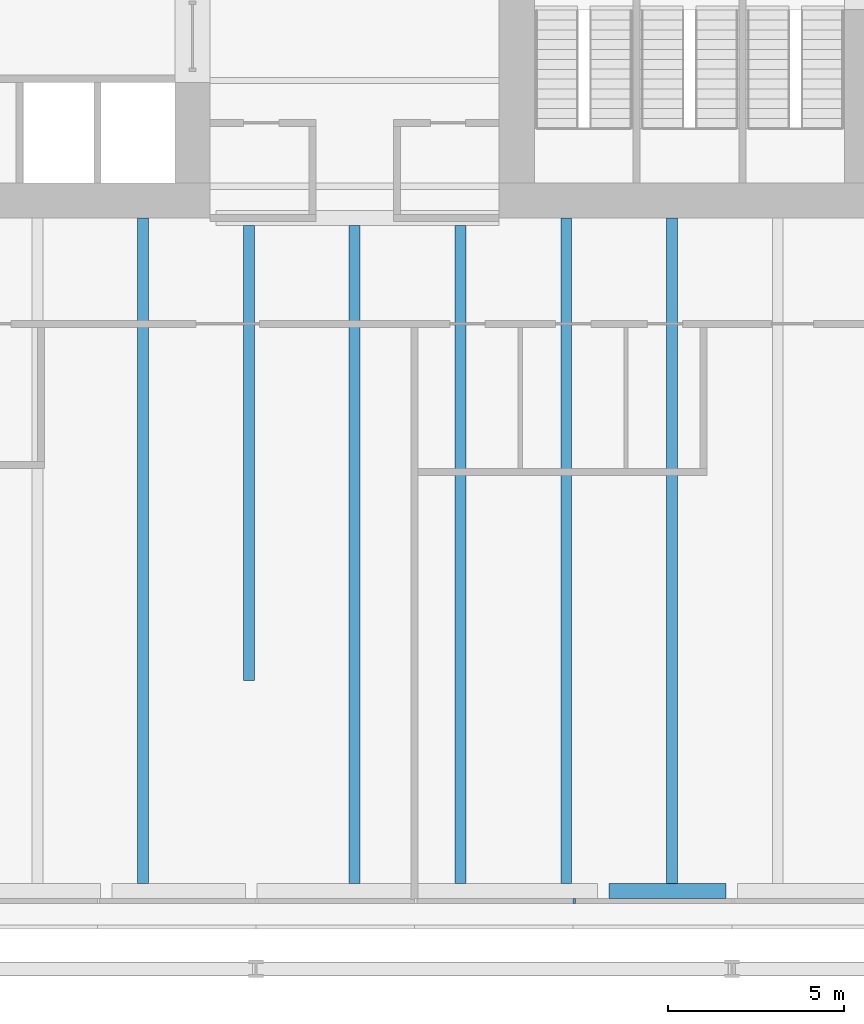
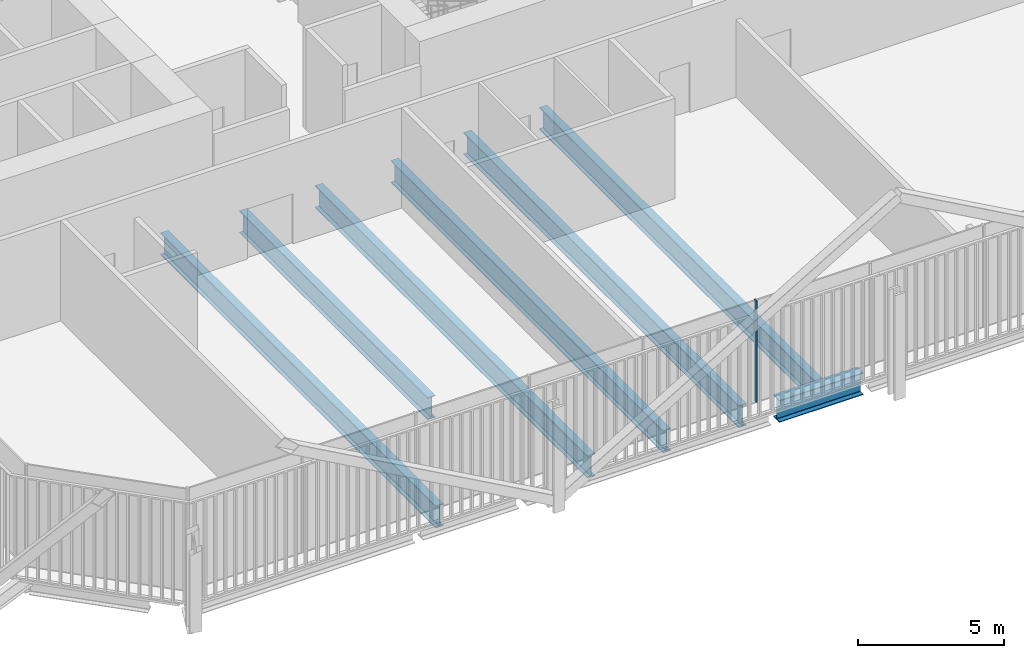
# One storey, part 4 of 21: 7 beams, 1 member, 1 element without a shape of its own.
"""IFC4 building model written with IfcOpenShell, lengths in metres."""

import ifcopenshell
import ifcopenshell.guid

model = None  # the IFC model being written
_history = None  # IfcOwnerHistory: only IFC2X3 demands one
_inside = {}  # id of a spatial element -> (the spatial element, [elements in it])
_under = {}  # id of a project, library or spatial element -> (it, [spatial elements below it])
_declared = {}  # id of a project -> (the project, [libraries it declares])
_typed = {}  # id of a type object -> (the type object, [elements of that type])
_made_of = {}  # id of a material, layer set ... -> (it, [elements and type objects made of it])


def new_model(schema):
    """Start an empty IFC model of exactly this schema.

    Asked for "IFC4X3", IfcOpenShell would pick the latest addendum, in which some entities
    have other attributes; the version numbers below select the first issue.
    IFC2X3 requires an IfcOwnerHistory on every rooted entity: one is made here for all.
    """
    global model, _history
    if schema == "IFC4X3":
        model = ifcopenshell.file(schema_version=(4, 3, 0, 0))
    else:
        model = ifcopenshell.file(schema=schema)
    _inside.clear()
    _under.clear()
    _declared.clear()
    _typed.clear()
    _made_of.clear()
    _history = None
    if model.schema == "IFC2X3":
        org = make("IfcOrganization", Name="unknown")
        user = make(
            "IfcPersonAndOrganization",
            ThePerson=make("IfcPerson", FamilyName="unknown"),
            TheOrganization=org,
        )
        app = make(
            "IfcApplication",
            ApplicationDeveloper=org,
            Version="unknown",
            ApplicationFullName="unknown",
            ApplicationIdentifier="unknown",
        )
        _history = make(
            "IfcOwnerHistory",
            OwningUser=user,
            OwningApplication=app,
            ChangeAction="ADDED",
            CreationDate=0,
        )
    return model


def make(cls, **values):
    """One entity of the class cls with the attributes given. An attribute that is None is left unset."""
    return model.create_entity(
        cls, **{name: value for name, value in values.items() if value is not None}
    )


def rooted(cls, **values):
    """An entity with a GlobalId (a new one), such as an element, a storey or a relation."""
    return make(cls, GlobalId=ifcopenshell.guid.new(), OwnerHistory=_history, **values)


def si_unit(unit_type, name, prefix=None):
    """IfcSIUnit, for example si_unit("LENGTHUNIT", "METRE", prefix="MILLI")."""
    return make("IfcSIUnit", UnitType=unit_type, Prefix=prefix, Name=name)


def assignment(units):
    """IfcUnitAssignment: the units of a project."""
    return None if units is None else make("IfcUnitAssignment", Units=units)


def point(xyz):
    """IfcCartesianPoint."""
    return None if xyz is None else make("IfcCartesianPoint", Coordinates=xyz)


def direction(xyz):
    """IfcDirection."""
    return None if xyz is None else make("IfcDirection", DirectionRatios=xyz)


def frame(location, z_axis=None, x_axis=None):
    """IfcAxis2Placement3D, a coordinate frame: its origin and axes. An axis left out is left unset."""
    return make(
        "IfcAxis2Placement3D",
        Location=point(location),
        Axis=direction(z_axis),
        RefDirection=direction(x_axis),
    )


def frame_2d(location, x_axis=None):
    """IfcAxis2Placement2D, a coordinate frame in the plane: its origin and x axis."""
    return make(
        "IfcAxis2Placement2D", Location=point(location), RefDirection=direction(x_axis)
    )


def origin():
    """The frame at (0, 0, 0) with its axes left unset."""
    return frame((0.0, 0.0, 0.0))


def origin_2d():
    """The frame at (0, 0) in the plane with its x axis left unset."""
    return frame_2d((0.0, 0.0))


def place(relative_to, where):
    """IfcLocalPlacement: puts the frame where relative to a parent placement (None: the world)."""
    return make(
        "IfcLocalPlacement", PlacementRelTo=relative_to, RelativePlacement=where
    )


def context(
    kind, dimensions, precision=None, world=None, true_north=None, identifier=None
):
    """IfcGeometricRepresentationContext, for example the 3D "Model" context."""
    return make(
        "IfcGeometricRepresentationContext",
        ContextIdentifier=identifier,
        ContextType=kind,
        CoordinateSpaceDimension=dimensions,
        Precision=precision,
        WorldCoordinateSystem=world,
        TrueNorth=true_north,
    )


def subcontext(parent, identifier, kind, view, scale=None):
    """IfcGeometricRepresentationSubContext, for example "Body" below "Model"."""
    return make(
        "IfcGeometricRepresentationSubContext",
        ContextIdentifier=identifier,
        ContextType=kind,
        ParentContext=parent,
        TargetScale=scale,
        TargetView=view,
    )


def project(units=None, contexts=None):
    """IfcProject with its units and contexts."""
    return rooted(
        "IfcProject",
        Name="project",
        RepresentationContexts=contexts,
        UnitsInContext=assignment(units),
    )


def spatial(cls, under=None, at=None, **own):
    """A site, building, storey or space (cls), placed at a placement, below another one or the project."""
    s = rooted(cls, ObjectPlacement=at, **own)
    if under is not None:
        _under.setdefault(under.id(), (under, []))[1].append(s)
    return s


def profile(cls, at=None, kind="AREA", **sizes):
    """A parametric profile (cls). Its sizes go by their IFC names, for example OverallWidth=200.0."""
    return make(cls, ProfileType=kind, Position=at, **sizes)


def rectangle(**sizes):
    """IfcRectangleProfileDef."""
    return profile("IfcRectangleProfileDef", **sizes)


def i_section(**sizes):
    """IfcIShapeProfileDef."""
    return profile("IfcIShapeProfileDef", **sizes)


def extrude(swept, where, along, depth):
    """IfcExtrudedAreaSolid: the profile swept, set in the frame where, extruded along a direction by depth."""
    return make(
        "IfcExtrudedAreaSolid",
        SweptArea=swept,
        Position=where,
        ExtrudedDirection=direction(along),
        Depth=depth,
    )


def shape(context_of_items, identifier, shape_type, items):
    """IfcShapeRepresentation: the items that make up one representation, for example the "Body"."""
    return make(
        "IfcShapeRepresentation",
        ContextOfItems=context_of_items,
        RepresentationIdentifier=identifier,
        RepresentationType=shape_type,
        Items=items,
    )


def material(Name=None, Category=None):
    """IfcMaterial."""
    return make("IfcMaterial", Name=Name, Category=Category)


def layer(
    of_material, thickness, ventilated=None, Name=None, Category=None, Priority=None
):
    """IfcMaterialLayer: one layer of a wall or slab, of a material (None: an air gap)."""
    return make(
        "IfcMaterialLayer",
        Material=of_material,
        LayerThickness=thickness,
        IsVentilated=ventilated,
        Name=Name,
        Category=Category,
        Priority=Priority,
    )


def layer_set(layers, Name=None):
    """IfcMaterialLayerSet."""
    return make("IfcMaterialLayerSet", MaterialLayers=layers, LayerSetName=Name)


def material_profile(
    of_material, cross_section, Name=None, Category=None, Priority=None
):
    """IfcMaterialProfile: a cross section and its material."""
    return make(
        "IfcMaterialProfile",
        Name=Name,
        Material=of_material,
        Profile=cross_section,
        Priority=Priority,
        Category=Category,
    )


def profile_set(profiles, Name=None, composite=None):
    """IfcMaterialProfileSet."""
    return make(
        "IfcMaterialProfileSet",
        Name=Name,
        MaterialProfiles=profiles,
        CompositeProfile=composite,
    )


def made_of(thing, what):
    """Note that an element or type object is made of a material, layer set ...; save() writes the relation."""
    if what is not None:
        _made_of.setdefault(what.id(), (what, []))[1].append(thing)
    return thing


def type_object(cls, material=None, **own):
    """A type object (cls), such as IfcWallType, which elements share."""
    return made_of(rooted(cls, **own), material)


def element(
    cls,
    number,
    at=None,
    inside=None,
    cuts=None,
    type_object=None,
    material=None,
    context=None,
    identifier="Body",
    shape_type=None,
    held_by="IfcProductDefinitionShape",
    body=None,
    shapes=None,
    **own,
):
    """One element of the class cls, such as IfcWall. Its Tag is "e" and its number.

    at: its placement. inside: the storey or other place that contains it. cuts: it is an
    opening in that element (IfcRelVoidsElement). A single representation is given by context,
    identifier, shape_type and body (its items); several are given by shapes. held_by: the class
    of the entity that holds the representations. save() writes the other relations.
    """
    e = rooted(cls, Tag="e%d" % number, ObjectPlacement=at, **own)
    if body is not None:
        shapes = [shape(context, identifier, shape_type, body)]
    if shapes is not None:
        e.Representation = make(held_by, Representations=shapes)
    if inside is not None:
        _inside.setdefault(inside.id(), (inside, []))[1].append(e)
    if cuts is not None:
        rooted(
            "IfcRelVoidsElement", RelatingBuildingElement=cuts, RelatedOpeningElement=e
        )
    if type_object is not None:
        _typed.setdefault(type_object.id(), (type_object, []))[1].append(e)
    return made_of(e, material)


def aggregate(whole, parts):
    """IfcRelAggregates: a whole, such as a stair, and the parts it consists of."""
    return rooted("IfcRelAggregates", RelatingObject=whole, RelatedObjects=parts)


def save(model, path):
    """Write the relations noted so far, then the file.

    IfcRelAggregates (storeys below a building ...), IfcRelContainedInSpatialStructure (elements
    in a storey), IfcRelDefinesByType, IfcRelAssociatesMaterial and IfcRelDeclares: one each for
    every whole, place, type object, material and project.
    """
    for whole, parts in _under.values():
        aggregate(whole, parts)
    for where, things in _inside.values():
        rooted(
            "IfcRelContainedInSpatialStructure",
            RelatedElements=things,
            RelatingStructure=where,
        )
    for kind, things in _typed.values():
        rooted("IfcRelDefinesByType", RelatedObjects=things, RelatingType=kind)
    for what, things in _made_of.values():
        rooted("IfcRelAssociatesMaterial", RelatedObjects=things, RelatingMaterial=what)
    for by, libraries in _declared.values():
        rooted("IfcRelDeclares", RelatingContext=by, RelatedDefinitions=libraries)
    model.write(path)


model = new_model("IFC4")

# Units and contexts
model_context = context("Model", 3, precision=1e-05, world=origin(), true_north=direction((0.0, 1.0)))
body_context = subcontext(model_context, "Body", "Model", "MODEL_VIEW")
ifc_project = project(units=[si_unit("LENGTHUNIT", "METRE"), si_unit("AREAUNIT", "SQUARE_METRE"), si_unit("VOLUMEUNIT", "CUBIC_METRE"), si_unit("PLANEANGLEUNIT", "RADIAN"), si_unit("MASSUNIT", "GRAM", prefix="KILO")], contexts=[model_context])

# Site, building, storey
site_placement = place(None, origin())
site = spatial("IfcSite", under=ifc_project, at=site_placement, CompositionType="ELEMENT")
building_placement = place(site_placement, origin())
building = spatial("IfcBuilding", under=site, at=building_placement, Name="Millrace Tower", CompositionType="ELEMENT")
storey_placement = place(building_placement, frame((0.0, 0.0, 73.199951171875)))
storey = spatial("IfcBuildingStorey", under=building, at=storey_placement, Name="L16", CompositionType="ELEMENT", Elevation=73.199951171875)

# Curtain wall, member
ifc_material_1 = material(Name="Aluminium and glass", Category="aluminium")
ifc_layer = layer(ifc_material_1, 0.14990234375)
ifc_layer_set = layer_set([ifc_layer], Name="Aluminium and glass")
curtain_wall_type = type_object("IfcCurtainWallType", Name="CW-3 telecom floor curtain wall", PredefinedType="NOTDEFINED", material=ifc_layer_set)
curtain_wall_placement = place(storey_placement, origin())
curtain_wall = element("IfcCurtainWall", 1, at=curtain_wall_placement, inside=storey, type_object=curtain_wall_type, Name="Curtain wall B-F02 L16", PredefinedType="NOTDEFINED")
ifc_material_2 = material(Name="Aluminium", Category="aluminium")
ifc_material_profile_1 = material_profile(ifc_material_2, rectangle(XDim=0.06494140625, YDim=0.14990234375, at=origin_2d()))
ifc_profile_set_1 = profile_set([ifc_material_profile_1], Name="Aluminium")
member_type = type_object("IfcMemberType", Name="CW-3 telecom floor curtain wall mullion", PredefinedType="MULLION", material=ifc_profile_set_1)
member_placement = place(storey_placement, frame((6.232421875, -29.27490234375, 0.150146484375), z_axis=(0.0, 0.0, 1.0), x_axis=(1.0, 0.0, 0.0)))
member = element("IfcMember", 2, at=member_placement, type_object=member_type, Name="CW3 mullion B-F02.6", PredefinedType="MULLION", context=body_context, shape_type="SweptSolid", body=[
    extrude(rectangle(XDim=0.06494140625, YDim=0.14990234375, at=origin_2d()), origin(), (0.0, 0.0, 1.0), 4.25),
])
aggregate(curtain_wall, [member])

# Beams
ifc_material_3 = material(Name="Steel ASTM A992 Grade 50", Category="steel")
ifc_material_profile_2 = material_profile(ifc_material_3, i_section(OverallWidth=0.307373046875, OverallDepth=0.927001953125, WebThickness=0.01953125, FlangeThickness=0.031982421875, FilletRadius=0.01904296875, at=origin_2d()))
ifc_profile_set_2 = profile_set([ifc_material_profile_2], Name="Steel ASTM A992 Grade 50")
beam_type_1 = type_object("IfcBeamType", Name="Floor beam W36x194", PredefinedType="JOIST", material=ifc_profile_set_2)
beam_1_placement = place(storey_placement, frame((-6.0, -28.781005859375, -0.66357421875), z_axis=(0.0, 1.0, 0.0), x_axis=(-1.0, 0.0, 0.0)))
element("IfcBeam", 3, at=beam_1_placement, inside=storey, type_object=beam_type_1, Name="BM-B-L16-S1-S045", PredefinedType="JOIST", context=body_context, shape_type="SweptSolid", body=[
    extrude(i_section(OverallWidth=0.307373046875, OverallDepth=0.927001953125, WebThickness=0.01953125, FlangeThickness=0.031982421875, FilletRadius=0.01904296875, at=origin_2d()), origin(), (0.0, 0.0, 1.0), 18.881103515625),
])
for number, where, z_axis, x_axis, name in (
    (4, (0.0, -28.781005859375, -0.66357421875), (0.0, 1.0, 0.0), (-1.0, 0.0, 0.0), "BM-B-L16-S1-S049"),
    (5, (3.0, -28.781005859375, -0.66357421875), (0.0, 1.0, 0.0), (-1.0, 0.0, 0.0), "BM-B-L16-S1-S051"),
):
    element("IfcBeam", number, at=place(storey_placement, frame(where, z_axis=z_axis, x_axis=x_axis)), inside=storey, type_object=beam_type_1, Name=name, PredefinedType="JOIST", context=body_context, shape_type="SweptSolid", body=[
        extrude(i_section(OverallWidth=0.307373046875, OverallDepth=0.927001953125, WebThickness=0.01953125, FlangeThickness=0.031982421875, FilletRadius=0.01904296875, at=origin_2d()), origin(), (0.0, 0.0, 1.0), 18.670166015625),
    ])
for number, where, z_axis, x_axis, name in (
    (6, (6.0, -28.781005859375, -0.66357421875), (0.0, 1.0, 0.0), (-1.0, 0.0, 0.0), "BM-B-L16-S1-S053"),
    (7, (9.0, -28.781005859375, -0.66357421875), (0.0, 1.0, 0.0), (-1.0, 0.0, 0.0), "BM-B-L16-S1-S055"),
):
    element("IfcBeam", number, at=place(storey_placement, frame(where, z_axis=z_axis, x_axis=x_axis)), inside=storey, type_object=beam_type_1, Name=name, PredefinedType="JOIST", context=body_context, shape_type="SweptSolid", body=[
        extrude(i_section(OverallWidth=0.307373046875, OverallDepth=0.927001953125, WebThickness=0.01953125, FlangeThickness=0.031982421875, FilletRadius=0.01904296875, at=origin_2d()), origin(), (0.0, 0.0, 1.0), 18.881103515625),
    ])
beam_2_placement = place(storey_placement, frame((-3.0, -23.0234375, -0.66357421875), z_axis=(0.0, 1.0, 0.0), x_axis=(-1.0, 0.0, 0.0)))
element("IfcBeam", 8, at=beam_2_placement, inside=storey, type_object=beam_type_1, Name="BM-B-L16-S1-S047", PredefinedType="JOIST", context=body_context, shape_type="SweptSolid", body=[
    extrude(i_section(OverallWidth=0.307373046875, OverallDepth=0.927001953125, WebThickness=0.01953125, FlangeThickness=0.031982421875, FilletRadius=0.01904296875, at=origin_2d()), origin(), (0.0, 0.0, 1.0), 12.91259765625),
])
ifc_material_4 = material(Name="Steel ASTM A992 Grade 50", Category="steel")
ifc_material_profile_3 = material_profile(ifc_material_4, i_section(OverallWidth=0.419189453125, OverallDepth=0.927001953125, WebThickness=0.019287109375, FlangeThickness=0.031982421875, FilletRadius=0.024169921875, at=origin_2d()))
ifc_profile_set_3 = profile_set([ifc_material_profile_3], Name="Steel ASTM A992 Grade 50")
beam_type_2 = type_object("IfcBeamType", Name="Ring beam short span W36x231", PredefinedType="SPANDREL", material=ifc_profile_set_3)
beam_3_placement = place(storey_placement, frame((10.538818359375, -28.990478515625, -0.66357421875), z_axis=(-1.0, 0.0, 0.0), x_axis=(0.0, -1.0, 0.0)))
element("IfcBeam", 9, at=beam_3_placement, inside=storey, type_object=beam_type_2, Name="RNG-B-L16-S1-14-a", PredefinedType="SPANDREL", context=body_context, shape_type="SweptSolid", body=[
    extrude(i_section(OverallWidth=0.419189453125, OverallDepth=0.927001953125, WebThickness=0.019287109375, FlangeThickness=0.031982421875, FilletRadius=0.024169921875, at=origin_2d()), origin(), (0.0, 0.0, 1.0), 3.325927734375),
])

save(model, "model.ifc")
